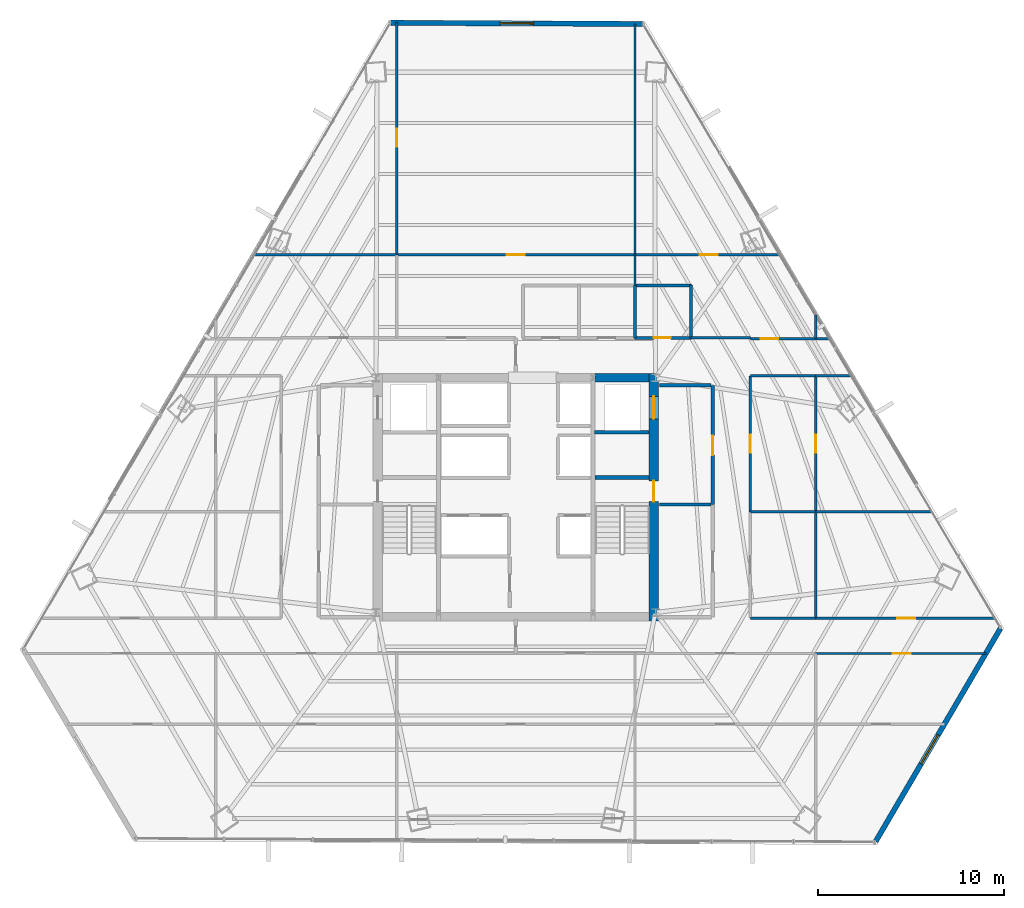
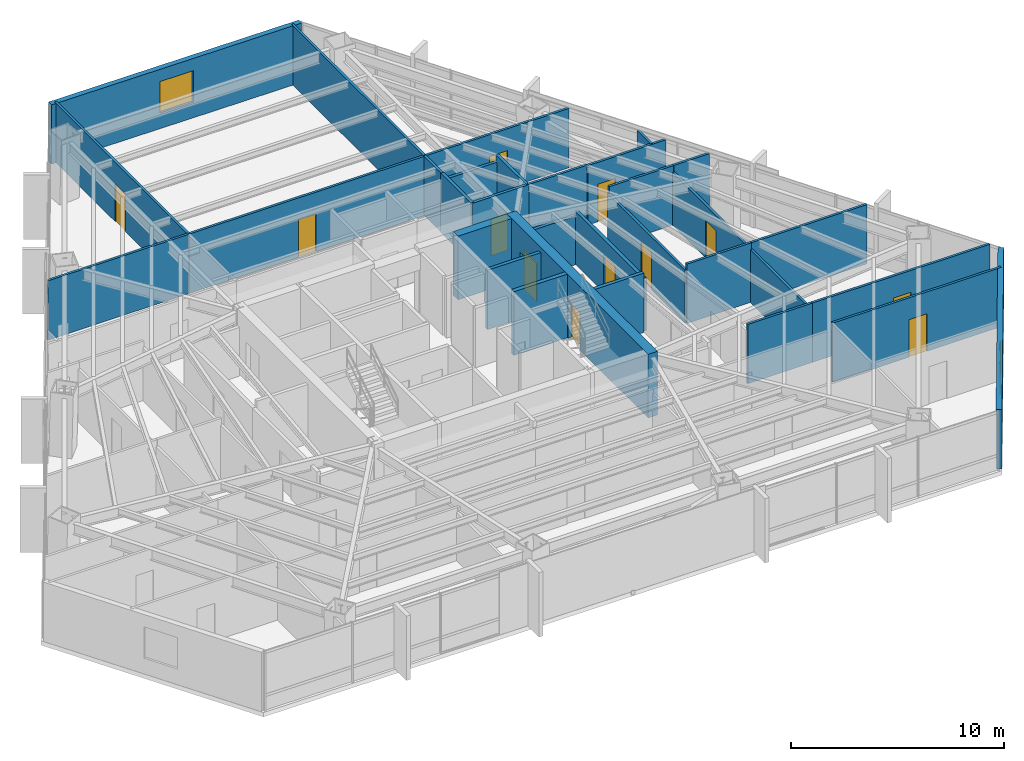
# One storey, part 32 of 37: 32 walls, 12 doors, 2 windows, 14 openings.
"""IFC4 building model written with IfcOpenShell, lengths in metres."""

from ifc_helpers import new_model, si_unit, direction, frame, frame_2d, origin, place, context, subcontext, project, spatial, rectangle, extrude, material, layer, layer_set, type_object, element, fill, save


model = new_model("IFC4")

# Units and contexts
model_context = context("Model", 3, precision=1e-05, world=origin(), true_north=direction((0.0, 1.0)))
body_context = subcontext(model_context, "Body", "Model", "MODEL_VIEW")
ifc_project = project(units=[si_unit("LENGTHUNIT", "METRE"), si_unit("AREAUNIT", "SQUARE_METRE"), si_unit("VOLUMEUNIT", "CUBIC_METRE"), si_unit("PLANEANGLEUNIT", "RADIAN"), si_unit("MASSUNIT", "GRAM", prefix="KILO")], contexts=[model_context])

# Site, building, storey
site_placement = place(None, origin())
site = spatial("IfcSite", under=ifc_project, at=site_placement, CompositionType="ELEMENT")
building_placement = place(site_placement, origin())
building = spatial("IfcBuilding", under=site, at=building_placement, Name="Caelisora Broadcast Tower", CompositionType="ELEMENT")
storey_placement = place(building_placement, frame((0.0, 0.0, 101.75)))
storey = spatial("IfcBuildingStorey", under=building, at=storey_placement, Name="L26", CompositionType="ELEMENT", Elevation=101.75)

# Wall, openings, doors
ifc_material_1 = material(Name="Concrete 50 MPa (AS 3600 S50)", Category="concrete")
ifc_layer_1 = layer(ifc_material_1, 0.5, Name="Concrete 50 MPa (AS 3600 S50)")
ifc_layer_set_1 = layer_set([ifc_layer_1], Name="Concrete 50 MPa (AS 3600 S50)")
wall_type_1 = type_object("IfcWallType", Name="CW2", PredefinedType="SHEAR", material=ifc_layer_set_1)
wall_1_placement = place(storey_placement, frame((45.409912109375, 16.949951171875, 0.0), z_axis=(0.0, 0.0, 1.0), x_axis=(0.0, 1.0, 0.0)))
wall_1 = element("IfcWall", 1, at=wall_1_placement, inside=storey, type_object=wall_type_1, Name="L26 core shear wall CW2", PredefinedType="SHEAR", context=body_context, shape_type="SweptSolid", body=[
    extrude(rectangle(XDim=13.275146484375, YDim=0.5, at=frame_2d((6.6376953125, 0.0))), origin(), (0.0, 0.0, 1.0), 3.64990234375),
])
opening_1_placement = place(wall_1_placement, frame((6.39990234375, 0.0, 0.0)))
opening_1 = element("IfcOpeningElement", 2, at=opening_1_placement, cuts=wall_1, Name="Opening FD04", PredefinedType="OPENING", context=body_context, shape_type="SweptSolid", body=[
    extrude(rectangle(XDim=1.1201171875, YDim=2.14990234375, at=frame_2d((0.56005859375, 1.074951171875))), frame((0.0, 0.261962890625, 0.0), z_axis=(0.0, -1.0, 0.0), x_axis=(1.0, 0.0, 0.0)), (0.0, 0.0, 1.0), 0.52392578125),
])
opening_2_placement = place(wall_1_placement, frame((10.85009765625, 0.0, 0.0)))
opening_2 = element("IfcOpeningElement", 3, at=opening_2_placement, cuts=wall_1, Name="Opening LD04", PredefinedType="OPENING", context=body_context, shape_type="SweptSolid", body=[
    extrude(rectangle(XDim=1.199951171875, YDim=2.199951171875, at=frame_2d((0.60009765625, 1.10009765625))), frame((0.0, 0.261962890625, 0.0), z_axis=(0.0, -1.0, 0.0), x_axis=(1.0, 0.0, 0.0)), (0.0, 0.0, 1.0), 0.52392578125),
])
ifc_material_2 = material(Name="Pressurised Fire-Isolated Stair Door", Category="steel")
door_type_1 = type_object("IfcDoorType", Name="FD04", OperationType="NOTDEFINED", PredefinedType="DOOR", material=ifc_material_2)
door_1_placement = place(opening_1_placement, origin())
door_1 = element("IfcDoor", 4, at=door_1_placement, inside=storey, type_object=door_type_1, Name="L26 door FD04 (L26-DR-ST2)", OperationType="SINGLE_SWING_RIGHT", OverallHeight=2.14990234375, OverallWidth=1.1201171875, PredefinedType="DOOR", context=body_context, shape_type="SweptSolid", body=[
    extrude(rectangle(XDim=1.1201171875, YDim=2.14990234375, at=frame_2d((0.56005859375, 1.074951171875))), frame((0.0, 0.02490234375, 0.0), z_axis=(0.0, -1.0, 0.0), x_axis=(1.0, 0.0, 0.0)), (0.0, 0.0, 1.0), 0.050048828125),
])
fill(opening_1, door_1)
ifc_material_3 = material(Name="Emergency Firefighting Lift Sliding Landing Door", Category="steel")
door_type_2 = type_object("IfcDoorType", Name="LD04", OperationType="NOTDEFINED", PredefinedType="DOOR", material=ifc_material_3)
door_2_placement = place(opening_2_placement, origin())
door_2 = element("IfcDoor", 5, at=door_2_placement, inside=storey, type_object=door_type_2, Name="L26 door LD04 (L26-LD-FFL2)", OperationType="SLIDING_TO_RIGHT", OverallHeight=2.199951171875, OverallWidth=1.199951171875, PredefinedType="DOOR", context=body_context, shape_type="SweptSolid", body=[
    extrude(rectangle(XDim=1.199951171875, YDim=2.199951171875, at=frame_2d((0.60009765625, 1.10009765625))), frame((0.0, 0.02490234375, 0.0), z_axis=(0.0, -1.0, 0.0), x_axis=(1.0, 0.0, 0.0)), (0.0, 0.0, 1.0), 0.050048828125),
])
fill(opening_2, door_2)

# Walls
ifc_layer_2 = layer(ifc_material_1, 0.449951171875, Name="Concrete 50 MPa (AS 3600 S50)")
ifc_layer_set_2 = layer_set([ifc_layer_2], Name="Concrete 50 MPa (AS 3600 S50)")
wall_type_2 = type_object("IfcWallType", Name="CW5", PredefinedType="SHEAR", material=ifc_layer_set_2)
wall_2_placement = place(storey_placement, frame((42.260009765625, 30.0, 0.0), z_axis=(0.0, 0.0, 1.0), x_axis=(1.0, 0.0, 0.0)))
element("IfcWall", 6, at=wall_2_placement, inside=storey, type_object=wall_type_2, Name="L26 core shear wall CW5", PredefinedType="SHEAR", context=body_context, shape_type="SweptSolid", body=[
    extrude(rectangle(XDim=2.89990234375, YDim=0.449951171875, at=frame_2d((1.449951171875, 0.0))), origin(), (0.0, 0.0, 1.0), 3.64990234375),
])
ifc_layer_3 = layer(ifc_material_1, 0.219970703125, Name="Concrete 50 MPa (AS 3600 S50)")
ifc_layer_set_3 = layer_set([ifc_layer_3], Name="Concrete 50 MPa (AS 3600 S50)")
wall_type_3 = type_object("IfcWallType", Name="CW7", PredefinedType="SHEAR", material=ifc_layer_set_3)
wall_3_placement = place(storey_placement, frame((42.260009765625, 24.639892578125, 0.0), z_axis=(0.0, 0.0, 1.0), x_axis=(1.0, 0.0, 0.0)))
element("IfcWall", 7, at=wall_3_placement, inside=storey, type_object=wall_type_3, Name="L26 core shear wall CW7", PredefinedType="SHEAR", context=body_context, shape_type="SweptSolid", body=[
    extrude(rectangle(XDim=2.89990234375, YDim=0.219970703125, at=frame_2d((1.449951171875, 0.0))), origin(), (0.0, 0.0, 1.0), 3.64990234375),
])

# Wall, opening, window
ifc_material_4 = material(Name="Insulated Terracotta Spandrel Wall System", Category="masonry")
ifc_layer_4 = layer(ifc_material_4, 0.280029296875, Name="Insulated Terracotta Spandrel Wall System")
ifc_layer_set_4 = layer_set([ifc_layer_4], Name="Insulated Terracotta Spandrel Wall System")
wall_type_4 = type_object("IfcWallType", Name="EW1", PredefinedType="STANDARD", material=ifc_layer_set_4)
wall_4_placement = place(storey_placement, frame((64.022705078125, 16.5419921875, 0.0), z_axis=(0.0, 0.0, 1.0), x_axis=(-0.505503431039, -0.862824594694, 0.0)))
wall_4 = element("IfcWall", 8, at=wall_4_placement, inside=storey, type_object=wall_type_4, Name="L26 exterior envelope wall EW1", PredefinedType="STANDARD", context=body_context, shape_type="SweptSolid", body=[
    extrude(rectangle(XDim=13.2529296875, YDim=0.280029296875, at=frame_2d((6.62646484375, 0.0))), origin(), (0.0, 0.0, 1.0), 3.39990234375),
])
opening_3_placement = place(wall_4_placement, frame((6.6298828125, 0.0, 0.89990234375)))
opening_3 = element("IfcOpeningElement", 9, at=opening_3_placement, cuts=wall_4, Name="Opening W01", PredefinedType="OPENING", context=body_context, shape_type="SweptSolid", body=[
    extrude(rectangle(XDim=1.800048828125, YDim=1.800048828125, at=frame_2d((0.89990234375, 0.89990234375))), frame((0.0, 0.152099609375, 0.0), z_axis=(0.0, -1.0, 0.0), x_axis=(1.0, 0.0, 0.0)), (0.0, 0.0, 1.0), 0.303955078125),
])
ifc_material_5 = material(Name="Double Glazed Terracotta-Framed Vision Window", Category="glass")
window_type = type_object("IfcWindowType", Name="W01", PartitioningType="SINGLE_PANEL", PredefinedType="WINDOW", material=ifc_material_5)
window_1_placement = place(opening_3_placement, origin())
window_1 = element("IfcWindow", 10, at=window_1_placement, inside=storey, type_object=window_type, Name="L26 window W01 (L26-WN-CH0)", OverallHeight=1.800048828125, OverallWidth=1.800048828125, PartitioningType="SINGLE_PANEL", PredefinedType="WINDOW", context=body_context, shape_type="SweptSolid", body=[
    extrude(rectangle(XDim=1.800048828125, YDim=1.800048828125, at=frame_2d((0.89990234375, 0.89990234375))), frame((0.0, 0.030029296875, 0.0), z_axis=(0.0, -1.0, 0.0), x_axis=(1.0, 0.0, 0.0)), (0.0, 0.0, 1.0), 0.06005859375),
])
fill(opening_3, window_1)

wall_5_placement = place(storey_placement, frame((31.299072265625, 49.059814453125, 0.0), z_axis=(0.0, 0.0, 1.0), x_axis=(0.999989217109, -0.004643884801, 0.0)))
wall_5 = element("IfcWall", 11, at=wall_5_placement, inside=storey, type_object=wall_type_4, Name="L26 exterior envelope wall EW1", PredefinedType="STANDARD", context=body_context, shape_type="SweptSolid", body=[
    extrude(rectangle(XDim=13.51123046875, YDim=0.280029296875, at=frame_2d((6.755615234375, 0.0))), origin(), (0.0, 0.0, 1.0), 3.39990234375),
])
opening_4_placement = place(wall_5_placement, frame((5.860107421875, 0.0, 0.89990234375)))
opening_4 = element("IfcOpeningElement", 12, at=opening_4_placement, cuts=wall_5, Name="Opening W01", PredefinedType="OPENING", context=body_context, shape_type="SweptSolid", body=[
    extrude(rectangle(XDim=1.800048828125, YDim=1.800048828125, at=frame_2d((0.89990234375, 0.89990234375))), frame((0.0, 0.152099609375, 0.0), z_axis=(0.0, -1.0, 0.0), x_axis=(1.0, 0.0, 0.0)), (0.0, 0.0, 1.0), 0.303955078125),
])
window_2_placement = place(opening_4_placement, origin())
window_2 = element("IfcWindow", 13, at=window_2_placement, inside=storey, type_object=window_type, Name="L26 window W01 (L26-WN-CH8)", OverallHeight=1.800048828125, OverallWidth=1.800048828125, PartitioningType="SINGLE_PANEL", PredefinedType="WINDOW", context=body_context, shape_type="SweptSolid", body=[
    extrude(rectangle(XDim=1.800048828125, YDim=1.800048828125, at=frame_2d((0.89990234375, 0.89990234375))), frame((0.0, 0.030029296875, 0.0), z_axis=(0.0, -1.0, 0.0), x_axis=(1.0, 0.0, 0.0)), (0.0, 0.0, 1.0), 0.06005859375),
])
fill(opening_4, window_2)

# Wall, opening, door
ifc_material_6 = material(Name="Fire-Rated Gypsum Shaft and Compartment Wall", Category="gypsum")
ifc_layer_5 = layer(ifc_material_6, 0.179931640625, Name="Fire-Rated Gypsum Shaft and Compartment Wall")
ifc_layer_set_5 = layer_set([ifc_layer_5], Name="Fire-Rated Gypsum Shaft and Compartment Wall")
wall_type_5 = type_object("IfcWallType", Name="PW2", PredefinedType="PARTITIONING", material=ifc_layer_set_5)
wall_6_placement = place(storey_placement, frame((48.580078125, 23.199951171875, 0.0), z_axis=(0.0, 0.0, 1.0), x_axis=(0.0, 1.0, 0.0)))
wall_6 = element("IfcWall", 14, at=wall_6_placement, inside=storey, type_object=wall_type_5, Name="L26 fire compartment wall PW2", PredefinedType="PARTITIONING", context=body_context, shape_type="SweptSolid", body=[
    extrude(rectangle(XDim=6.400146484375, YDim=0.179931640625, at=frame_2d((3.2001953125, 0.0))), origin(), (0.0, 0.0, 1.0), 3.0263671875),
])
opening_5_placement = place(wall_6_placement, frame((2.64990234375, 0.0, 0.0)))
opening_5 = element("IfcOpeningElement", 15, at=opening_5_placement, cuts=wall_6, Name="Opening FD02", PredefinedType="OPENING", context=body_context, shape_type="SweptSolid", body=[
    extrude(rectangle(XDim=1.050048828125, YDim=2.14990234375, at=frame_2d((0.52490234375, 1.074951171875))), frame((0.0, 0.10205078125, 0.0), z_axis=(0.0, -1.0, 0.0), x_axis=(1.0, 0.0, 0.0)), (0.0, 0.0, 1.0), 0.203857421875),
])
ifc_material_7 = material(Name="Single-Leaf Steel Fire Lobby Door", Category="steel")
door_type_3 = type_object("IfcDoorType", Name="FD02", OperationType="NOTDEFINED", PredefinedType="DOOR", material=ifc_material_7)
door_3_placement = place(opening_5_placement, origin())
door_3 = element("IfcDoor", 16, at=door_3_placement, inside=storey, type_object=door_type_3, Name="L26 door FD02 (L26-DR-P04D1)", OperationType="SINGLE_SWING_RIGHT", OverallHeight=2.14990234375, OverallWidth=1.050048828125, PredefinedType="DOOR", context=body_context, shape_type="SweptSolid", body=[
    extrude(rectangle(XDim=1.050048828125, YDim=2.14990234375, at=frame_2d((0.52490234375, 1.074951171875))), frame((0.0, 0.02490234375, 0.0), z_axis=(0.0, -1.0, 0.0), x_axis=(1.0, 0.0, 0.0)), (0.0, 0.0, 1.0), 0.050048828125),
])
fill(opening_5, door_3)

# Walls
wall_7_placement = place(storey_placement, frame((45.719970703125, 23.199951171875, 0.0), z_axis=(0.0, 0.0, 1.0), x_axis=(1.0, 0.0, 0.0)))
element("IfcWall", 17, at=wall_7_placement, inside=storey, type_object=wall_type_5, Name="L26 fire compartment wall PW2", PredefinedType="PARTITIONING", context=body_context, shape_type="SweptSolid", body=[
    extrude(rectangle(XDim=2.760009765625, YDim=0.179931640625, at=frame_2d((1.3798828125, 0.0))), origin(), (0.0, 0.0, 1.0), 3.39990234375),
])
wall_8_placement = place(storey_placement, frame((45.719970703125, 29.60009765625, 0.0), z_axis=(0.0, 0.0, 1.0), x_axis=(1.0, 0.0, 0.0)))
element("IfcWall", 18, at=wall_8_placement, inside=storey, type_object=wall_type_5, Name="L26 fire compartment wall PW2", PredefinedType="PARTITIONING", context=body_context, shape_type="SweptSolid", body=[
    extrude(rectangle(XDim=2.760009765625, YDim=0.179931640625, at=frame_2d((1.3798828125, 0.0))), origin(), (0.0, 0.0, 1.0), 2.78271484375),
])
wall_9_placement = place(storey_placement, frame((42.239990234375, 27.070068359375, 0.0), z_axis=(0.0, 0.0, 1.0), x_axis=(1.0, 0.0, 0.0)))
element("IfcWall", 19, at=wall_9_placement, inside=storey, type_object=wall_type_5, Name="L26 fire compartment wall PW2", PredefinedType="PARTITIONING", context=body_context, shape_type="SweptSolid", body=[
    extrude(rectangle(XDim=2.89990234375, YDim=0.179931640625, at=frame_2d((1.449951171875, 0.0))), origin(), (0.0, 0.0, 1.0), 3.39990234375),
])

# Wall, opening, door
ifc_material_8 = material(Name="Acoustic Steel-Stud Plasterboard Partition", Category="gypsum")
ifc_layer_6 = layer(ifc_material_8, 0.1298828125, Name="Acoustic Steel-Stud Plasterboard Partition")
ifc_layer_set_6 = layer_set([ifc_layer_6], Name="Acoustic Steel-Stud Plasterboard Partition")
wall_type_6 = type_object("IfcWallType", Name="PW3", PredefinedType="PARTITIONING", material=ifc_layer_set_6)
wall_10_placement = place(storey_placement, frame((31.60498046875, 36.60009765625, 0.0), z_axis=(0.0, 0.0, 1.0), x_axis=(1.0, 0.0, 0.0)))
wall_10 = element("IfcWall", 20, at=wall_10_placement, inside=storey, type_object=wall_type_6, Name="L26 internal partition PW3", PredefinedType="PARTITIONING", context=body_context, shape_type="SweptSolid", body=[
    extrude(rectangle(XDim=12.7900390625, YDim=0.1298828125, at=frame_2d((6.39501953125, 0.0))), origin(), (0.0, 0.0, 1.0), 3.39990234375),
])
opening_6_placement = place(wall_10_placement, frame((5.9150390625, 0.0, 0.0)))
opening_6 = element("IfcOpeningElement", 21, at=opening_6_placement, cuts=wall_10, Name="Opening D01", PredefinedType="OPENING", context=body_context, shape_type="SweptSolid", body=[
    extrude(rectangle(XDim=0.9599609375, YDim=2.14990234375, at=frame_2d((0.47998046875, 1.074951171875))), frame((0.0, 0.076904296875, 0.0), z_axis=(0.0, -1.0, 0.0), x_axis=(1.0, 0.0, 0.0)), (0.0, 0.0, 1.0), 0.15380859375),
])
ifc_material_9 = material(Name="Solid-Core Timber Acoustic Office Door", Category="wood")
door_type_4 = type_object("IfcDoorType", Name="D01", OperationType="NOTDEFINED", PredefinedType="DOOR", material=ifc_material_9)
door_4_placement = place(opening_6_placement, origin())
door_4 = element("IfcDoor", 22, at=door_4_placement, inside=storey, type_object=door_type_4, Name="L26 door D01 (L26-DR-P27D1)", OperationType="SINGLE_SWING_RIGHT", OverallHeight=2.14990234375, OverallWidth=0.9599609375, PredefinedType="DOOR", context=body_context, shape_type="SweptSolid", body=[
    extrude(rectangle(XDim=0.9599609375, YDim=2.14990234375, at=frame_2d((0.47998046875, 1.074951171875))), frame((0.0, 0.02490234375, 0.0), z_axis=(0.0, -1.0, 0.0), x_axis=(1.0, 0.0, 0.0)), (0.0, 0.0, 1.0), 0.050048828125),
])
fill(opening_6, door_4)

wall_11_placement = place(storey_placement, frame((31.60009765625, 36.60498046875, 0.0), z_axis=(0.0, 0.0, 1.0), x_axis=(0.0, 1.0, 0.0)))
wall_11 = element("IfcWall", 23, at=wall_11_placement, inside=storey, type_object=wall_type_6, Name="L26 internal partition PW3", PredefinedType="PARTITIONING", context=body_context, shape_type="SweptSolid", body=[
    extrude(rectangle(XDim=12.4580078125, YDim=0.1298828125, at=frame_2d((6.22900390625, 0.0))), origin(), (0.0, 0.0, 1.0), 3.39990234375),
])
opening_7_placement = place(wall_11_placement, frame((5.797119140625, 0.0, 0.0)))
opening_7 = element("IfcOpeningElement", 24, at=opening_7_placement, cuts=wall_11, Name="Opening D01", PredefinedType="OPENING", context=body_context, shape_type="SweptSolid", body=[
    extrude(rectangle(XDim=0.9599609375, YDim=2.14990234375, at=frame_2d((0.47998046875, 1.074951171875))), frame((0.0, 0.076904296875, 0.0), z_axis=(0.0, -1.0, 0.0), x_axis=(1.0, 0.0, 0.0)), (0.0, 0.0, 1.0), 0.15380859375),
])
door_5_placement = place(opening_7_placement, origin())
door_5 = element("IfcDoor", 25, at=door_5_placement, inside=storey, type_object=door_type_4, Name="L26 door D01 (L26-DR-P28D1)", OperationType="SINGLE_SWING_LEFT", OverallHeight=2.14990234375, OverallWidth=0.9599609375, PredefinedType="DOOR", context=body_context, shape_type="SweptSolid", body=[
    extrude(rectangle(XDim=0.9599609375, YDim=2.14990234375, at=frame_2d((0.47998046875, 1.074951171875))), frame((0.0, 0.02490234375, 0.0), z_axis=(0.0, -1.0, 0.0), x_axis=(1.0, 0.0, 0.0)), (0.0, 0.0, 1.0), 0.050048828125),
])
fill(opening_7, door_5)

# Wall
wall_12_placement = place(storey_placement, frame((44.39990234375, 36.60498046875, 0.0), z_axis=(0.0, 0.0, 1.0), x_axis=(0.0, 1.0, 0.0)))
element("IfcWall", 26, at=wall_12_placement, inside=storey, type_object=wall_type_6, Name="L26 internal partition PW3", PredefinedType="PARTITIONING", context=body_context, shape_type="SweptSolid", body=[
    extrude(rectangle(XDim=12.3994140625, YDim=0.1298828125, at=frame_2d((6.19970703125, 0.0))), origin(), (0.0, 0.0, 1.0), 3.39990234375),
])

# Wall, opening, door
wall_13_placement = place(storey_placement, frame((54.10498046875, 17.10009765625, 0.0), z_axis=(0.0, 0.0, 1.0), x_axis=(1.0, 0.0, 0.0)))
wall_13 = element("IfcWall", 27, at=wall_13_placement, inside=storey, type_object=wall_type_6, Name="L26 internal partition PW3", PredefinedType="PARTITIONING", context=body_context, shape_type="SweptSolid", body=[
    extrude(rectangle(XDim=9.62353515625, YDim=0.1298828125, at=frame_2d((4.811767578125, 0.0))), origin(), (0.0, 0.0, 1.0), 3.39990234375),
])
opening_8_placement = place(wall_13_placement, frame((4.387939453125, 0.0, 0.0)))
opening_8 = element("IfcOpeningElement", 28, at=opening_8_placement, cuts=wall_13, Name="Opening D01", PredefinedType="OPENING", context=body_context, shape_type="SweptSolid", body=[
    extrude(rectangle(XDim=0.9599609375, YDim=2.14990234375, at=frame_2d((0.47998046875, 1.074951171875))), frame((0.0, 0.076904296875, 0.0), z_axis=(0.0, -1.0, 0.0), x_axis=(1.0, 0.0, 0.0)), (0.0, 0.0, 1.0), 0.15380859375),
])
door_6_placement = place(opening_8_placement, origin())
door_6 = element("IfcDoor", 29, at=door_6_placement, inside=storey, type_object=door_type_4, Name="L26 door D01 (L26-DR-P31D1)", OperationType="SINGLE_SWING_LEFT", OverallHeight=2.14990234375, OverallWidth=0.9599609375, PredefinedType="DOOR", context=body_context, shape_type="SweptSolid", body=[
    extrude(rectangle(XDim=0.9599609375, YDim=2.14990234375, at=frame_2d((0.47998046875, 1.074951171875))), frame((0.0, 0.02490234375, 0.0), z_axis=(0.0, -1.0, 0.0), x_axis=(1.0, 0.0, 0.0)), (0.0, 0.0, 1.0), 0.050048828125),
])
fill(opening_8, door_6)

wall_14_placement = place(storey_placement, frame((54.10498046875, 15.199951171875, 0.0), z_axis=(0.0, 0.0, 1.0), x_axis=(1.0, 0.0, 0.0)))
wall_14 = element("IfcWall", 30, at=wall_14_placement, inside=storey, type_object=wall_type_6, Name="L26 internal partition PW3", PredefinedType="PARTITIONING", context=body_context, shape_type="SweptSolid", body=[
    extrude(rectangle(XDim=9.137451171875, YDim=0.1298828125, at=frame_2d((4.56884765625, 0.0))), origin(), (0.0, 0.0, 1.0), 3.39990234375),
])
opening_9_placement = place(wall_14_placement, frame((4.14306640625, 0.0, 0.0)))
opening_9 = element("IfcOpeningElement", 31, at=opening_9_placement, cuts=wall_14, Name="Opening D01", PredefinedType="OPENING", context=body_context, shape_type="SweptSolid", body=[
    extrude(rectangle(XDim=0.9599609375, YDim=2.14990234375, at=frame_2d((0.47998046875, 1.074951171875))), frame((0.0, 0.076904296875, 0.0), z_axis=(0.0, -1.0, 0.0), x_axis=(1.0, 0.0, 0.0)), (0.0, 0.0, 1.0), 0.15380859375),
])
door_7_placement = place(opening_9_placement, origin())
door_7 = element("IfcDoor", 32, at=door_7_placement, inside=storey, type_object=door_type_4, Name="L26 door D01 (L26-DR-P37D1)", OperationType="SINGLE_SWING_LEFT", OverallHeight=2.14990234375, OverallWidth=0.9599609375, PredefinedType="DOOR", context=body_context, shape_type="SweptSolid", body=[
    extrude(rectangle(XDim=0.9599609375, YDim=2.14990234375, at=frame_2d((0.47998046875, 1.074951171875))), frame((0.0, 0.02490234375, 0.0), z_axis=(0.0, -1.0, 0.0), x_axis=(1.0, 0.0, 0.0)), (0.0, 0.0, 1.0), 0.050048828125),
])
fill(opening_9, door_7)

wall_15_placement = place(storey_placement, frame((44.405029296875, 36.60009765625, 0.0), z_axis=(0.0, 0.0, 1.0), x_axis=(1.0, 0.0, 0.0)))
wall_15 = element("IfcWall", 33, at=wall_15_placement, inside=storey, type_object=wall_type_6, Name="L26 internal partition PW3", PredefinedType="PARTITIONING", context=body_context, shape_type="SweptSolid", body=[
    extrude(rectangle(XDim=7.780029296875, YDim=0.1298828125, at=frame_2d((3.89013671875, 0.0))), origin(), (0.0, 0.0, 1.0), 3.39990234375),
])
opening_10_placement = place(wall_15_placement, frame((3.467041015625, 0.0, 0.0)))
opening_10 = element("IfcOpeningElement", 34, at=opening_10_placement, cuts=wall_15, Name="Opening D01", PredefinedType="OPENING", context=body_context, shape_type="SweptSolid", body=[
    extrude(rectangle(XDim=0.9599609375, YDim=2.14990234375, at=frame_2d((0.47998046875, 1.074951171875))), frame((0.0, 0.076904296875, 0.0), z_axis=(0.0, -1.0, 0.0), x_axis=(1.0, 0.0, 0.0)), (0.0, 0.0, 1.0), 0.15380859375),
])
door_8_placement = place(opening_10_placement, origin())
door_8 = element("IfcDoor", 35, at=door_8_placement, inside=storey, type_object=door_type_4, Name="L26 door D01 (L26-DR-P39D1)", OperationType="SINGLE_SWING_LEFT", OverallHeight=2.14990234375, OverallWidth=0.9599609375, PredefinedType="DOOR", context=body_context, shape_type="SweptSolid", body=[
    extrude(rectangle(XDim=0.9599609375, YDim=2.14990234375, at=frame_2d((0.47998046875, 1.074951171875))), frame((0.0, 0.02490234375, 0.0), z_axis=(0.0, -1.0, 0.0), x_axis=(1.0, 0.0, 0.0)), (0.0, 0.0, 1.0), 0.050048828125),
])
fill(opening_10, door_8)

# Wall
wall_16_placement = place(storey_placement, frame((23.9638671875, 36.60009765625, 0.0), z_axis=(0.0, 0.0, 1.0), x_axis=(1.0, 0.0, 0.0)))
element("IfcWall", 36, at=wall_16_placement, inside=storey, type_object=wall_type_6, Name="L26 internal partition PW3", PredefinedType="PARTITIONING", context=body_context, shape_type="SweptSolid", body=[
    extrude(rectangle(XDim=7.631103515625, YDim=0.1298828125, at=frame_2d((3.8154296875, 0.0))), origin(), (0.0, 0.0, 1.0), 3.39990234375),
])

# Wall, opening, door
wall_17_placement = place(storey_placement, frame((50.60009765625, 22.804931640625, 0.0), z_axis=(0.0, 0.0, 1.0), x_axis=(0.0, 1.0, 0.0)))
wall_17 = element("IfcWall", 37, at=wall_17_placement, inside=storey, type_object=wall_type_6, Name="L26 internal partition PW3", PredefinedType="PARTITIONING", context=body_context, shape_type="SweptSolid", body=[
    extrude(rectangle(XDim=7.2900390625, YDim=0.1298828125, at=frame_2d((3.64501953125, 0.0))), origin(), (0.0, 0.0, 1.0), 3.0263671875),
])
opening_11_placement = place(wall_17_placement, frame((3.1650390625, 0.0, 0.0)))
opening_11 = element("IfcOpeningElement", 38, at=opening_11_placement, cuts=wall_17, Name="Opening D01", PredefinedType="OPENING", context=body_context, shape_type="SweptSolid", body=[
    extrude(rectangle(XDim=0.9599609375, YDim=2.14990234375, at=frame_2d((0.47998046875, 1.074951171875))), frame((0.0, 0.076904296875, 0.0), z_axis=(0.0, -1.0, 0.0), x_axis=(1.0, 0.0, 0.0)), (0.0, 0.0, 1.0), 0.15380859375),
])
door_9_placement = place(opening_11_placement, origin())
door_9 = element("IfcDoor", 39, at=door_9_placement, inside=storey, type_object=door_type_4, Name="L26 door D01 (L26-DR-P42D1)", OperationType="SINGLE_SWING_LEFT", OverallHeight=2.14990234375, OverallWidth=0.9599609375, PredefinedType="DOOR", context=body_context, shape_type="SweptSolid", body=[
    extrude(rectangle(XDim=0.9599609375, YDim=2.14990234375, at=frame_2d((0.47998046875, 1.074951171875))), frame((0.0, 0.02490234375, 0.0), z_axis=(0.0, -1.0, 0.0), x_axis=(1.0, 0.0, 0.0)), (0.0, 0.0, 1.0), 0.050048828125),
])
fill(opening_11, door_9)

wall_18_placement = place(storey_placement, frame((54.10009765625, 22.804931640625, 0.0), z_axis=(0.0, 0.0, 1.0), x_axis=(0.0, 1.0, 0.0)))
wall_18 = element("IfcWall", 40, at=wall_18_placement, inside=storey, type_object=wall_type_6, Name="L26 internal partition PW3", PredefinedType="PARTITIONING", context=body_context, shape_type="SweptSolid", body=[
    extrude(rectangle(XDim=7.2900390625, YDim=0.1298828125, at=frame_2d((3.64501953125, 0.0))), origin(), (0.0, 0.0, 1.0), 3.0263671875),
])
opening_12_placement = place(wall_18_placement, frame((3.1650390625, 0.0, 0.0)))
opening_12 = element("IfcOpeningElement", 41, at=opening_12_placement, cuts=wall_18, Name="Opening D01", PredefinedType="OPENING", context=body_context, shape_type="SweptSolid", body=[
    extrude(rectangle(XDim=0.9599609375, YDim=2.14990234375, at=frame_2d((0.47998046875, 1.074951171875))), frame((0.0, 0.076904296875, 0.0), z_axis=(0.0, -1.0, 0.0), x_axis=(1.0, 0.0, 0.0)), (0.0, 0.0, 1.0), 0.15380859375),
])
door_10_placement = place(opening_12_placement, origin())
door_10 = element("IfcDoor", 42, at=door_10_placement, inside=storey, type_object=door_type_4, Name="L26 door D01 (L26-DR-P43D1)", OperationType="SINGLE_SWING_RIGHT", OverallHeight=2.14990234375, OverallWidth=0.9599609375, PredefinedType="DOOR", context=body_context, shape_type="SweptSolid", body=[
    extrude(rectangle(XDim=0.9599609375, YDim=2.14990234375, at=frame_2d((0.47998046875, 1.074951171875))), frame((0.0, 0.02490234375, 0.0), z_axis=(0.0, -1.0, 0.0), x_axis=(1.0, 0.0, 0.0)), (0.0, 0.0, 1.0), 0.050048828125),
])
fill(opening_12, door_10)

# Walls
wall_19_placement = place(storey_placement, frame((54.10498046875, 22.800048828125, 0.0), z_axis=(0.0, 0.0, 1.0), x_axis=(1.0, 0.0, 0.0)))
element("IfcWall", 43, at=wall_19_placement, inside=storey, type_object=wall_type_6, Name="L26 internal partition PW3", PredefinedType="PARTITIONING", context=body_context, shape_type="SweptSolid", body=[
    extrude(rectangle(XDim=6.249267578125, YDim=0.1298828125, at=frame_2d((3.12451171875, 0.0))), origin(), (0.0, 0.0, 1.0), 3.39990234375),
])
wall_20_placement = place(storey_placement, frame((54.10009765625, 17.10498046875, 0.0), z_axis=(0.0, 0.0, 1.0), x_axis=(0.0, 1.0, 0.0)))
element("IfcWall", 44, at=wall_20_placement, inside=storey, type_object=wall_type_6, Name="L26 internal partition PW3", PredefinedType="PARTITIONING", context=body_context, shape_type="SweptSolid", body=[
    extrude(rectangle(XDim=5.68994140625, YDim=0.1298828125, at=frame_2d((2.844970703125, 0.0))), origin(), (0.0, 0.0, 1.0), 3.0263671875),
])

# Wall, opening, door
wall_21_placement = place(storey_placement, frame((50.60498046875, 32.10009765625, 0.0), z_axis=(0.0, 0.0, 1.0), x_axis=(1.0, 0.0, 0.0)))
wall_21 = element("IfcWall", 45, at=wall_21_placement, inside=storey, type_object=wall_type_6, Name="L26 internal partition PW3", PredefinedType="PARTITIONING", context=body_context, shape_type="SweptSolid", body=[
    extrude(rectangle(XDim=4.218017578125, YDim=0.1298828125, at=frame_2d((2.10888671875, 0.0))), origin(), (0.0, 0.0, 1.0), 3.39990234375),
])
opening_13_placement = place(wall_21_placement, frame((0.5400390625, 0.0, 0.0)))
opening_13 = element("IfcOpeningElement", 46, at=opening_13_placement, cuts=wall_21, Name="Opening D01", PredefinedType="OPENING", context=body_context, shape_type="SweptSolid", body=[
    extrude(rectangle(XDim=0.9599609375, YDim=2.14990234375, at=frame_2d((0.47998046875, 1.074951171875))), frame((0.0, 0.076904296875, 0.0), z_axis=(0.0, -1.0, 0.0), x_axis=(1.0, 0.0, 0.0)), (0.0, 0.0, 1.0), 0.15380859375),
])
door_11_placement = place(opening_13_placement, origin())
door_11 = element("IfcDoor", 47, at=door_11_placement, inside=storey, type_object=door_type_4, Name="L26 door D01 (L26-DR-P68D1)", OperationType="SINGLE_SWING_RIGHT", OverallHeight=2.14990234375, OverallWidth=0.9599609375, PredefinedType="DOOR", context=body_context, shape_type="SweptSolid", body=[
    extrude(rectangle(XDim=0.9599609375, YDim=2.14990234375, at=frame_2d((0.47998046875, 1.074951171875))), frame((0.0, 0.02490234375, 0.0), z_axis=(0.0, -1.0, 0.0), x_axis=(1.0, 0.0, 0.0)), (0.0, 0.0, 1.0), 0.050048828125),
])
fill(opening_13, door_11)

# Walls
for number, where, z_axis, x_axis, name in (
    (48, (50.60498046875, 30.10009765625, 0.0), (0.0, 0.0, 1.0), (1.0, 0.0, 0.0), "L26 internal partition PW3"),
    (49, (54.094970703125, 17.10009765625, 0.0), (0.0, 0.0, 1.0), (-1.0, 0.0, 0.0), "L26 internal partition PW3"),
    (50, (50.60498046875, 22.800048828125, 0.0), (0.0, 0.0, 1.0), (1.0, 0.0, 0.0), "L26 internal partition PW3"),
):
    element("IfcWall", number, at=place(storey_placement, frame(where, z_axis=z_axis, x_axis=x_axis)), inside=storey, type_object=wall_type_6, Name=name, PredefinedType="PARTITIONING", context=body_context, shape_type="SweptSolid", body=[
        extrude(rectangle(XDim=3.489990234375, YDim=0.1298828125, at=frame_2d((1.7451171875, 0.0))), origin(), (0.0, 0.0, 1.0), 3.39990234375),
    ])
wall_22_placement = place(storey_placement, frame((47.405029296875, 32.14990234375, 0.0), z_axis=(0.0, 0.0, 1.0), x_axis=(1.0, 0.0, 0.0)))
element("IfcWall", 51, at=wall_22_placement, inside=storey, type_object=wall_type_6, Name="L26 internal partition PW3", PredefinedType="PARTITIONING", context=body_context, shape_type="SweptSolid", body=[
    extrude(rectangle(XDim=3.18994140625, YDim=0.1298828125, at=frame_2d((1.594970703125, 0.0))), origin(), (0.0, 0.0, 1.0), 3.39990234375),
])
wall_23_placement = place(storey_placement, frame((54.10498046875, 30.10009765625, 0.0), z_axis=(0.0, 0.0, 1.0), x_axis=(1.0, 0.0, 0.0)))
element("IfcWall", 52, at=wall_23_placement, inside=storey, type_object=wall_type_6, Name="L26 internal partition PW3", PredefinedType="PARTITIONING", context=body_context, shape_type="SweptSolid", body=[
    extrude(rectangle(XDim=1.927978515625, YDim=0.1298828125, at=frame_2d((0.9638671875, 0.0))), origin(), (0.0, 0.0, 1.0), 3.39990234375),
])
wall_24_placement = place(storey_placement, frame((44.39990234375, 34.955078125, 0.0), z_axis=(0.0, 0.0, 1.0), x_axis=(0.0, 1.0, 0.0)))
element("IfcWall", 53, at=wall_24_placement, inside=storey, type_object=wall_type_6, Name="L26 internal partition PW3", PredefinedType="PARTITIONING", context=body_context, shape_type="SweptSolid", body=[
    extrude(rectangle(XDim=1.639892578125, YDim=0.1298828125, at=frame_2d((0.81982421875, 0.0))), origin(), (0.0, 0.0, 1.0), 3.39990234375),
])
wall_25_placement = place(storey_placement, frame((54.10009765625, 32.10498046875, 0.0), z_axis=(0.0, 0.0, 1.0), x_axis=(0.0, 1.0, 0.0)))
element("IfcWall", 54, at=wall_25_placement, inside=storey, type_object=wall_type_6, Name="L26 internal partition PW3", PredefinedType="PARTITIONING", context=body_context, shape_type="SweptSolid", body=[
    extrude(rectangle(XDim=1.260009765625, YDim=0.1298828125, at=frame_2d((0.6298828125, 0.0))), origin(), (0.0, 0.0, 1.0), 3.39990234375),
])

# Wall, opening, door
ifc_material_10 = material(Name="Moisture-Resistant Wet Plumbing Service Wall", Category="gypsum")
ifc_layer_7 = layer(ifc_material_10, 0.159912109375, Name="Moisture-Resistant Wet Plumbing Service Wall")
ifc_layer_set_7 = layer_set([ifc_layer_7], Name="Moisture-Resistant Wet Plumbing Service Wall")
wall_type_7 = type_object("IfcWallType", Name="PW4", PredefinedType="PLUMBINGWALL", material=ifc_layer_set_7)
wall_26_placement = place(storey_placement, frame((44.375, 32.14990234375, 0.0), z_axis=(0.0, 0.0, 1.0), x_axis=(1.0, 0.0, 0.0)))
wall_26 = element("IfcWall", 55, at=wall_26_placement, inside=storey, type_object=wall_type_7, Name="L26 wet plumbing wall PW4", PredefinedType="PLUMBINGWALL", context=body_context, shape_type="SweptSolid", body=[
    extrude(rectangle(XDim=3.050048828125, YDim=0.159912109375, at=frame_2d((1.52490234375, 0.0))), origin(), (0.0, 0.0, 1.0), 3.39990234375),
])
opening_14_placement = place(wall_26_placement, frame((1.034912109375, 0.0, 0.0)))
opening_14 = element("IfcOpeningElement", 56, at=opening_14_placement, cuts=wall_26, Name="Opening D03", PredefinedType="OPENING", context=body_context, shape_type="SweptSolid", body=[
    extrude(rectangle(XDim=0.919921875, YDim=2.10009765625, at=frame_2d((0.4599609375, 1.050048828125))), frame((0.0, 0.092041015625, 0.0), z_axis=(0.0, -1.0, 0.0), x_axis=(1.0, 0.0, 0.0)), (0.0, 0.0, 1.0), 0.183837890625),
])
ifc_material_11 = material(Name="Laminate Moisture-Resistant Amenity WC Door", Category="wood")
door_type_5 = type_object("IfcDoorType", Name="D03", OperationType="NOTDEFINED", PredefinedType="DOOR", material=ifc_material_11)
door_12_placement = place(opening_14_placement, origin())
door_12 = element("IfcDoor", 57, at=door_12_placement, inside=storey, type_object=door_type_5, Name="L26 door D03 (L26-DR-P18D1)", OperationType="SINGLE_SWING_RIGHT", OverallHeight=2.10009765625, OverallWidth=0.919921875, PredefinedType="DOOR", context=body_context, shape_type="SweptSolid", body=[
    extrude(rectangle(XDim=0.919921875, YDim=2.10009765625, at=frame_2d((0.4599609375, 1.050048828125))), frame((0.0, 0.02490234375, 0.0), z_axis=(0.0, -1.0, 0.0), x_axis=(1.0, 0.0, 0.0)), (0.0, 0.0, 1.0), 0.050048828125),
])
fill(opening_14, door_12)

# Walls
wall_27_placement = place(storey_placement, frame((47.425048828125, 34.949951171875, 0.0), z_axis=(0.0, 0.0, 1.0), x_axis=(-1.0, 0.0, 0.0)))
element("IfcWall", 58, at=wall_27_placement, inside=storey, type_object=wall_type_7, Name="L26 wet plumbing wall PW4", PredefinedType="PLUMBINGWALL", context=body_context, shape_type="SweptSolid", body=[
    extrude(rectangle(XDim=3.050048828125, YDim=0.159912109375, at=frame_2d((1.52490234375, 0.0))), origin(), (0.0, 0.0, 1.0), 3.0263671875),
])
for number, where, z_axis, x_axis, name in (
    (59, (44.39990234375, 32.125, 0.0), (0.0, 0.0, 1.0), (0.0, 1.0, 0.0), "L26 wet plumbing wall PW4"),
    (60, (47.39990234375, 32.125, 0.0), (0.0, 0.0, 1.0), (0.0, 1.0, 0.0), "L26 wet plumbing wall PW4"),
):
    element("IfcWall", number, at=place(storey_placement, frame(where, z_axis=z_axis, x_axis=x_axis)), inside=storey, type_object=wall_type_7, Name=name, PredefinedType="PLUMBINGWALL", context=body_context, shape_type="SweptSolid", body=[
        extrude(rectangle(XDim=2.85009765625, YDim=0.159912109375, at=frame_2d((1.425048828125, 0.0))), origin(), (0.0, 0.0, 1.0), 3.39990234375),
    ])

save(model, "model.ifc")
